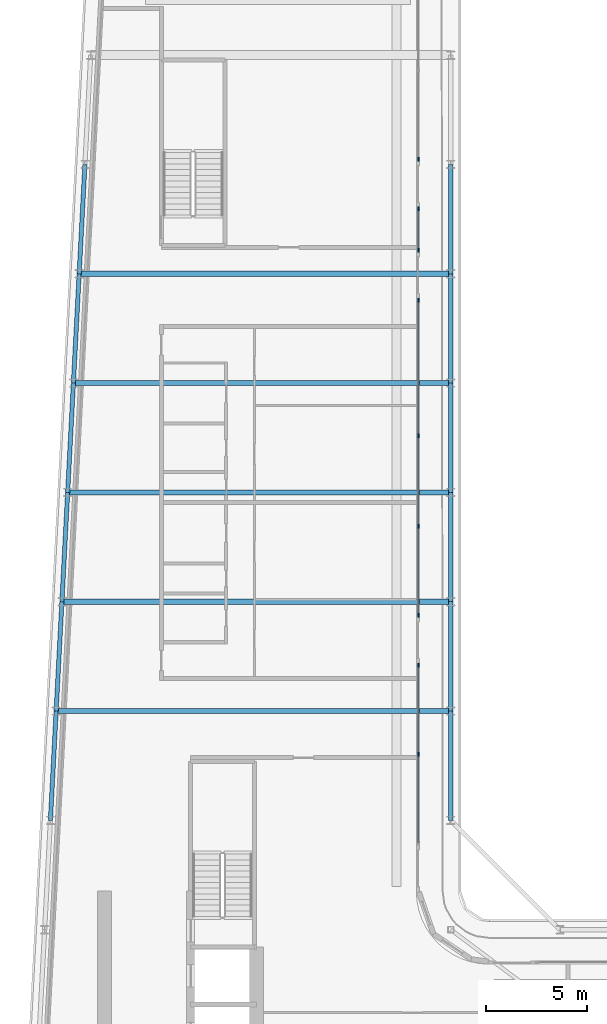
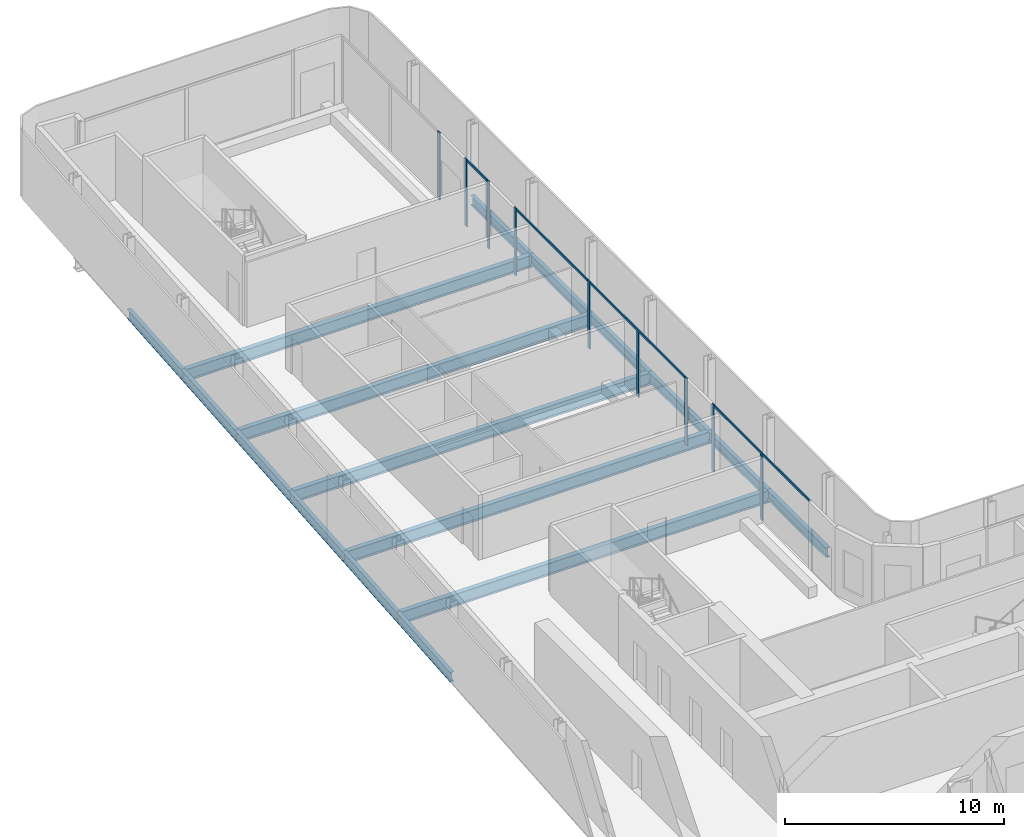
# One storey, part 6 of 21: 17 beams, 13 members, 5 elements without a shape of their own.
"""IFC4 building model written with IfcOpenShell, lengths in metres."""

from ifc_helpers import new_model, si_unit, direction, frame, origin, origin_2d, place, context, subcontext, project, spatial, rectangle, i_section, extrude, material, layer, layer_set, material_profile, profile_set, type_object, element, aggregate, save


model = new_model("IFC4")

# Units and contexts
model_context = context("Model", 3, precision=1e-05, world=origin(), true_north=direction((0.0, 1.0)))
body_context = subcontext(model_context, "Body", "Model", "MODEL_VIEW")
ifc_project = project(units=[si_unit("LENGTHUNIT", "METRE"), si_unit("AREAUNIT", "SQUARE_METRE"), si_unit("VOLUMEUNIT", "CUBIC_METRE"), si_unit("PLANEANGLEUNIT", "RADIAN"), si_unit("MASSUNIT", "GRAM", prefix="KILO")], contexts=[model_context])

# Site, building, storey
site_placement = place(None, origin())
site = spatial("IfcSite", under=ifc_project, at=site_placement, CompositionType="ELEMENT")
building_placement = place(site_placement, origin())
building = spatial("IfcBuilding", under=site, at=building_placement, Name="Kheshtan School and Residences Tower", CompositionType="ELEMENT")
storey_placement = place(building_placement, frame((0.0, 0.0, 235.699951171875)))
storey = spatial("IfcBuildingStorey", under=building, at=storey_placement, Name="L55", CompositionType="ELEMENT", Elevation=235.699951171875)

# Beams
ifc_material_1 = material(Name="Steel ASTM A992 Grade 50", Category="steel")
ifc_material_profile_1 = material_profile(ifc_material_1, i_section(OverallWidth=0.2529296875, OverallDepth=0.677978515625, WebThickness=0.01171875, FlangeThickness=0.016357421875, FilletRadius=0.0146484375, at=origin_2d()), Name="W690x125")
ifc_profile_set_1 = profile_set([ifc_material_profile_1], Name="Steel ASTM A992 Grade 50")
beam_type_1 = type_object("IfcBeamType", Name="Beam FB6 W690x125 ASTM A992 Grade 50", PredefinedType="BEAM", material=ifc_profile_set_1)
beam_1_placement = place(storey_placement, frame((47.60009765625, 78.0, -0.489013671875), z_axis=(-1.0, 0.0, 0.0), x_axis=(0.0, -1.0, 0.0)))
element("IfcBeam", 1, at=beam_1_placement, inside=storey, type_object=beam_type_1, Name="Floor beam C089", PredefinedType="BEAM", context=body_context, shape_type="SweptSolid", body=[
    extrude(i_section(OverallWidth=0.2529296875, OverallDepth=0.677978515625, WebThickness=0.01171875, FlangeThickness=0.016357421875, FilletRadius=0.0146484375, at=origin_2d()), origin(), (0.0, 0.0, 1.0), 18.357177734375),
])
beam_2_placement = place(storey_placement, frame((47.60009765625, 67.199951171875, -0.489013671875), z_axis=(-1.0, 0.0, 0.0), x_axis=(0.0, -1.0, 0.0)))
element("IfcBeam", 2, at=beam_2_placement, inside=storey, type_object=beam_type_1, Name="Floor beam C085", PredefinedType="BEAM", context=body_context, shape_type="SweptSolid", body=[
    extrude(i_section(OverallWidth=0.2529296875, OverallDepth=0.677978515625, WebThickness=0.01171875, FlangeThickness=0.016357421875, FilletRadius=0.0146484375, at=origin_2d()), origin(), (0.0, 0.0, 1.0), 18.926025390625),
])
beam_3_placement = place(storey_placement, frame((47.60009765625, 56.39990234375, -0.489013671875), z_axis=(-1.0, 0.0, 0.0), x_axis=(0.0, -1.0, 0.0)))
element("IfcBeam", 3, at=beam_3_placement, inside=storey, type_object=beam_type_1, Name="Floor beam C081", PredefinedType="BEAM", context=body_context, shape_type="SweptSolid", body=[
    extrude(i_section(OverallWidth=0.2529296875, OverallDepth=0.677978515625, WebThickness=0.01171875, FlangeThickness=0.016357421875, FilletRadius=0.0146484375, at=origin_2d()), origin(), (0.0, 0.0, 1.0), 19.494140625),
])
beam_4_placement = place(storey_placement, frame((28.389892578125, 61.800048828125, -0.489013671875), z_axis=(1.0, 0.0, 0.0), x_axis=(0.0, 1.0, 0.0)))
element("IfcBeam", 4, at=beam_4_placement, inside=storey, type_object=beam_type_1, Name="Floor beam C082", PredefinedType="BEAM", context=body_context, shape_type="SweptSolid", body=[
    extrude(i_section(OverallWidth=0.2529296875, OverallDepth=0.677978515625, WebThickness=0.01171875, FlangeThickness=0.016357421875, FilletRadius=0.0146484375, at=origin_2d()), origin(), (0.0, 0.0, 1.0), 19.210205078125),
])
beam_5_placement = place(storey_placement, frame((28.9580078125, 72.60009765625, -0.489013671875), z_axis=(1.0, 0.0, 0.0), x_axis=(0.0, 1.0, 0.0)))
element("IfcBeam", 5, at=beam_5_placement, inside=storey, type_object=beam_type_1, Name="Floor beam C086", PredefinedType="BEAM", context=body_context, shape_type="SweptSolid", body=[
    extrude(i_section(OverallWidth=0.2529296875, OverallDepth=0.677978515625, WebThickness=0.01171875, FlangeThickness=0.016357421875, FilletRadius=0.0146484375, at=origin_2d()), origin(), (0.0, 0.0, 1.0), 18.64208984375),
])
ifc_material_profile_2 = material_profile(ifc_material_1, i_section(OverallWidth=0.208984375, OverallDepth=0.532958984375, WebThickness=0.01025390625, FlangeThickness=0.015625, FilletRadius=0.013916015625, at=origin_2d()), Name="W530x92")
ifc_profile_set_2 = profile_set([ifc_material_profile_2], Name="Steel ASTM A992 Grade 50")
beam_type_2 = type_object("IfcBeamType", Name="Beam SP3 W530x92 ASTM A992 Grade 50", PredefinedType="BEAM", material=ifc_profile_set_2)
for number, where, z_axis, x_axis, name in (
    (6, (47.60009765625, 83.39990234375, -0.41650390625), (0.0, -1.0, 0.0), (1.0, 0.0, 0.0), "Spandrel beam C091-C089"),
    (7, (47.60009765625, 78.0, -0.41650390625), (0.0, -1.0, 0.0), (1.0, 0.0, 0.0), "Spandrel beam C089-C087"),
):
    element("IfcBeam", number, at=place(storey_placement, frame(where, z_axis=z_axis, x_axis=x_axis)), inside=storey, type_object=beam_type_2, Name=name, PredefinedType="BEAM", context=body_context, shape_type="SweptSolid", body=[
        extrude(i_section(OverallWidth=0.208984375, OverallDepth=0.532958984375, WebThickness=0.01025390625, FlangeThickness=0.015625, FilletRadius=0.013916015625, at=origin_2d()), origin(), (0.0, 0.0, 1.0), 5.39990234375),
    ])
beam_6_placement = place(storey_placement, frame((47.60009765625, 72.60009765625, -0.41650390625), z_axis=(0.0, -1.0, 0.0), x_axis=(1.0, 0.0, 0.0)))
element("IfcBeam", 8, at=beam_6_placement, inside=storey, type_object=beam_type_2, Name="Spandrel beam C087-C085", PredefinedType="BEAM", context=body_context, shape_type="SweptSolid", body=[
    extrude(i_section(OverallWidth=0.208984375, OverallDepth=0.532958984375, WebThickness=0.01025390625, FlangeThickness=0.015625, FilletRadius=0.013916015625, at=origin_2d()), origin(), (0.0, 0.0, 1.0), 5.400146484375),
])
beam_7_placement = place(storey_placement, frame((47.60009765625, 67.199951171875, -0.41650390625), z_axis=(0.0, -1.0, 0.0), x_axis=(1.0, 0.0, 0.0)))
element("IfcBeam", 9, at=beam_7_placement, inside=storey, type_object=beam_type_2, Name="Spandrel beam C085-C083", PredefinedType="BEAM", context=body_context, shape_type="SweptSolid", body=[
    extrude(i_section(OverallWidth=0.208984375, OverallDepth=0.532958984375, WebThickness=0.01025390625, FlangeThickness=0.015625, FilletRadius=0.013916015625, at=origin_2d()), origin(), (0.0, 0.0, 1.0), 5.39990234375),
])
beam_8_placement = place(storey_placement, frame((47.60009765625, 61.800048828125, -0.41650390625), z_axis=(0.0, -1.0, 0.0), x_axis=(1.0, 0.0, 0.0)))
element("IfcBeam", 10, at=beam_8_placement, inside=storey, type_object=beam_type_2, Name="Spandrel beam C083-C081", PredefinedType="BEAM", context=body_context, shape_type="SweptSolid", body=[
    extrude(i_section(OverallWidth=0.208984375, OverallDepth=0.532958984375, WebThickness=0.01025390625, FlangeThickness=0.015625, FilletRadius=0.013916015625, at=origin_2d()), origin(), (0.0, 0.0, 1.0), 5.400146484375),
])
beam_9_placement = place(storey_placement, frame((47.60009765625, 56.39990234375, -0.41650390625), z_axis=(0.0, -1.0, 0.0), x_axis=(1.0, 0.0, 0.0)))
element("IfcBeam", 11, at=beam_9_placement, inside=storey, type_object=beam_type_2, Name="Spandrel beam C081-C079", PredefinedType="BEAM", context=body_context, shape_type="SweptSolid", body=[
    extrude(i_section(OverallWidth=0.208984375, OverallDepth=0.532958984375, WebThickness=0.01025390625, FlangeThickness=0.015625, FilletRadius=0.013916015625, at=origin_2d()), origin(), (0.0, 0.0, 1.0), 5.39990234375),
])
beam_10_placement = place(storey_placement, frame((27.822021484375, 51.0, -0.41650390625), z_axis=(0.05250906864, 0.998620447272, 0.0), x_axis=(-0.998620447272, 0.05250906864, 0.0)))
element("IfcBeam", 12, at=beam_10_placement, inside=storey, type_object=beam_type_2, Name="Spandrel beam C078-C080", PredefinedType="BEAM", context=body_context, shape_type="SweptSolid", body=[
    extrude(i_section(OverallWidth=0.208984375, OverallDepth=0.532958984375, WebThickness=0.01025390625, FlangeThickness=0.015625, FilletRadius=0.013916015625, at=origin_2d()), origin(), (0.0, 0.0, 1.0), 5.407470703125),
])
beam_11_placement = place(storey_placement, frame((28.10595703125, 56.39990234375, -0.41650390625), z_axis=(0.05250670125, 0.998620571751, 0.0), x_axis=(-0.998620571751, 0.05250670125, 0.0)))
element("IfcBeam", 13, at=beam_11_placement, inside=storey, type_object=beam_type_2, Name="Spandrel beam C080-C082", PredefinedType="BEAM", context=body_context, shape_type="SweptSolid", body=[
    extrude(i_section(OverallWidth=0.208984375, OverallDepth=0.532958984375, WebThickness=0.01025390625, FlangeThickness=0.015625, FilletRadius=0.013916015625, at=origin_2d()), origin(), (0.0, 0.0, 1.0), 5.40771484375),
])
beam_12_placement = place(storey_placement, frame((28.389892578125, 61.800048828125, -0.41650390625), z_axis=(0.052554093665, 0.998618078766, 0.0), x_axis=(-0.998618078766, 0.052554093665, 0.0)))
element("IfcBeam", 14, at=beam_12_placement, inside=storey, type_object=beam_type_2, Name="Spandrel beam C082-C084", PredefinedType="BEAM", context=body_context, shape_type="SweptSolid", body=[
    extrude(i_section(OverallWidth=0.208984375, OverallDepth=0.532958984375, WebThickness=0.01025390625, FlangeThickness=0.015625, FilletRadius=0.013916015625, at=origin_2d()), origin(), (0.0, 0.0, 1.0), 5.407470703125),
])
beam_13_placement = place(storey_placement, frame((28.674072265625, 67.199951171875, -0.41650390625), z_axis=(0.05250670125, 0.998620571751, 0.0), x_axis=(-0.998620571751, 0.05250670125, 0.0)))
element("IfcBeam", 15, at=beam_13_placement, inside=storey, type_object=beam_type_2, Name="Spandrel beam C084-C086", PredefinedType="BEAM", context=body_context, shape_type="SweptSolid", body=[
    extrude(i_section(OverallWidth=0.208984375, OverallDepth=0.532958984375, WebThickness=0.01025390625, FlangeThickness=0.015625, FilletRadius=0.013916015625, at=origin_2d()), origin(), (0.0, 0.0, 1.0), 5.40771484375),
])
for number, where, z_axis, x_axis, name in (
    (16, (28.9580078125, 72.60009765625, -0.41650390625), (0.052689166816, 0.998610961136, 0.0), (-0.998610961136, 0.052689166816, 0.0), "Spandrel beam C086-C088"),
    (17, (29.242919921875, 78.0, -0.41650390625), (0.052554093665, 0.998618078766, 0.0), (-0.998618078766, 0.052554093665, 0.0), "Spandrel beam C088-C090"),
):
    element("IfcBeam", number, at=place(storey_placement, frame(where, z_axis=z_axis, x_axis=x_axis)), inside=storey, type_object=beam_type_2, Name=name, PredefinedType="BEAM", context=body_context, shape_type="SweptSolid", body=[
        extrude(i_section(OverallWidth=0.208984375, OverallDepth=0.532958984375, WebThickness=0.01025390625, FlangeThickness=0.015625, FilletRadius=0.013916015625, at=origin_2d()), origin(), (0.0, 0.0, 1.0), 5.407470703125),
    ])

# Curtain wall, member
ifc_material_2 = material(Name="Clear low-e glass in thermally broken aluminium frame", Category="aluminium")
ifc_layer = layer(ifc_material_2, 0.199951171875)
ifc_layer_set = layer_set([ifc_layer], Name="Curtain wall CW-L")
curtain_wall_type = type_object("IfcCurtainWallType", Name="Curtain wall CW-L", PredefinedType="NOTDEFINED", material=ifc_layer_set)
curtain_wall_1_placement = place(storey_placement, origin())
curtain_wall_1 = element("IfcCurtainWall", 18, at=curtain_wall_1_placement, inside=storey, type_object=curtain_wall_type, Name="Curtain wall CWL4b", PredefinedType="NOTDEFINED")
ifc_material_3 = material(Name="Thermally broken aluminium, dark bronze anodised", Category="aluminium")
ifc_material_profile_3 = material_profile(ifc_material_3, rectangle(XDim=0.06005859375, YDim=0.199951171875, at=origin_2d()), Name="CW-L mullion 60x200")
ifc_profile_set_3 = profile_set([ifc_material_profile_3], Name="Thermally broken aluminium, dark bronze anodised")
member_type_1 = type_object("IfcMemberType", Name="CW-L mullion 60x200", PredefinedType="MULLION", material=ifc_profile_set_3)
member_1_placement = place(storey_placement, frame((46.0, 83.66259765625, 0.0), z_axis=(0.0, 0.0, 1.0), x_axis=(1.0, 0.0, 0.0)))
member_1 = element("IfcMember", 19, at=member_1_placement, type_object=member_type_1, Name="CWL4b mullion 3", PredefinedType="MULLION", context=body_context, shape_type="SweptSolid", body=[
    extrude(rectangle(XDim=0.06005859375, YDim=0.199951171875, at=origin_2d()), origin(), (0.0, 0.0, 1.0), 3.75),
])
aggregate(curtain_wall_1, [member_1])

# Curtain wall, members
curtain_wall_2_placement = place(storey_placement, origin())
curtain_wall_2 = element("IfcCurtainWall", 20, at=curtain_wall_2_placement, inside=storey, type_object=curtain_wall_type, Name="Curtain wall CWL4c", PredefinedType="NOTDEFINED")
member_2_placement = place(storey_placement, frame((46.0, 81.202392578125, 0.0), z_axis=(0.0, 0.0, 1.0), x_axis=(1.0, 0.0, 0.0)))
member_2 = element("IfcMember", 21, at=member_2_placement, type_object=member_type_1, Name="CWL4c mullion 1", PredefinedType="MULLION", context=body_context, shape_type="SweptSolid", body=[
    extrude(rectangle(XDim=0.06005859375, YDim=0.199951171875, at=origin_2d()), origin(), (0.0, 0.0, 1.0), 3.75),
])
member_3_placement = place(storey_placement, frame((46.0, 79.16259765625, 0.0), z_axis=(0.0, 0.0, 1.0), x_axis=(1.0, 0.0, 0.0)))
member_3 = element("IfcMember", 22, at=member_3_placement, type_object=member_type_1, Name="CWL4c mullion 2", PredefinedType="MULLION", context=body_context, shape_type="SweptSolid", body=[
    extrude(rectangle(XDim=0.06005859375, YDim=0.199951171875, at=origin_2d()), origin(), (0.0, 0.0, 1.0), 3.75),
])

curtain_wall_3_placement = place(storey_placement, origin())
curtain_wall_3 = element("IfcCurtainWall", 23, at=curtain_wall_3_placement, inside=storey, type_object=curtain_wall_type, Name="Curtain wall CWL4d", PredefinedType="NOTDEFINED")
member_4_placement = place(storey_placement, frame((46.0, 76.702392578125, 0.0), z_axis=(0.0, 0.0, 1.0), x_axis=(1.0, 0.0, 0.0)))
member_4 = element("IfcMember", 24, at=member_4_placement, type_object=member_type_1, Name="CWL4d mullion 1", PredefinedType="MULLION", context=body_context, shape_type="SweptSolid", body=[
    extrude(rectangle(XDim=0.06005859375, YDim=0.199951171875, at=origin_2d()), origin(), (0.0, 0.0, 1.0), 3.75),
])
member_5_placement = place(storey_placement, frame((46.0, 69.9951171875, 0.0), z_axis=(0.0, 0.0, 1.0), x_axis=(1.0, 0.0, 0.0)))
member_5 = element("IfcMember", 25, at=member_5_placement, type_object=member_type_1, Name="CWL4d mullion 2", PredefinedType="MULLION", context=body_context, shape_type="SweptSolid", body=[
    extrude(rectangle(XDim=0.06005859375, YDim=0.199951171875, at=origin_2d()), origin(), (0.0, 0.0, 1.0), 3.75),
])

curtain_wall_4_placement = place(storey_placement, origin())
curtain_wall_4 = element("IfcCurtainWall", 26, at=curtain_wall_4_placement, inside=storey, type_object=curtain_wall_type, Name="Curtain wall CWL4b", PredefinedType="NOTDEFINED")
member_6_placement = place(storey_placement, frame((46.0, 65.53125, 0.0), z_axis=(0.0, 0.0, 1.0), x_axis=(1.0, 0.0, 0.0)))
member_6 = element("IfcMember", 27, at=member_6_placement, type_object=member_type_1, Name="CWL4b mullion 2", PredefinedType="MULLION", context=body_context, shape_type="SweptSolid", body=[
    extrude(rectangle(XDim=0.06005859375, YDim=0.199951171875, at=origin_2d()), origin(), (0.0, 0.0, 1.0), 3.630126953125),
])
member_7_placement = place(storey_placement, frame((46.0, 61.12744140625, 0.0), z_axis=(0.0, 0.0, 1.0), x_axis=(1.0, 0.0, 0.0)))
member_7 = element("IfcMember", 28, at=member_7_placement, type_object=member_type_1, Name="CWL4b mullion 3", PredefinedType="MULLION", context=body_context, shape_type="SweptSolid", body=[
    extrude(rectangle(XDim=0.06005859375, YDim=0.199951171875, at=origin_2d()), origin(), (0.0, 0.0, 1.0), 3.75),
])

curtain_wall_5_placement = place(storey_placement, origin())
curtain_wall_5 = element("IfcCurtainWall", 29, at=curtain_wall_5_placement, inside=storey, type_object=curtain_wall_type, Name="Curtain wall CWL4b", PredefinedType="NOTDEFINED")
member_8_placement = place(storey_placement, frame((46.0, 58.66748046875, 0.0), z_axis=(0.0, 0.0, 1.0), x_axis=(1.0, 0.0, 0.0)))
member_8 = element("IfcMember", 30, at=member_8_placement, type_object=member_type_1, Name="CWL4b mullion 1", PredefinedType="MULLION", context=body_context, shape_type="SweptSolid", body=[
    extrude(rectangle(XDim=0.06005859375, YDim=0.199951171875, at=origin_2d()), origin(), (0.0, 0.0, 1.0), 3.75),
])
member_9_placement = place(storey_placement, frame((46.0, 54.263671875, 0.0), z_axis=(0.0, 0.0, 1.0), x_axis=(1.0, 0.0, 0.0)))
member_9 = element("IfcMember", 31, at=member_9_placement, type_object=member_type_1, Name="CWL4b mullion 2", PredefinedType="MULLION", context=body_context, shape_type="SweptSolid", body=[
    extrude(rectangle(XDim=0.06005859375, YDim=0.199951171875, at=origin_2d()), origin(), (0.0, 0.0, 1.0), 3.630126953125),
])

# Member
ifc_material_profile_4 = material_profile(ifc_material_3, rectangle(XDim=0.06005859375, YDim=0.1201171875, at=origin_2d()), Name="CW-L transom 60x120")
ifc_profile_set_4 = profile_set([ifc_material_profile_4], Name="Thermally broken aluminium, dark bronze anodised")
member_type_2 = type_object("IfcMemberType", Name="CW-L transom 60x120", PredefinedType="USERDEFINED", material=ifc_profile_set_4)
member_10_placement = place(storey_placement, frame((46.0, 81.172607421875, 3.68994140625), z_axis=(0.0, -1.0, 0.0), x_axis=(1.0, 0.0, 0.0)))
member_10 = element("IfcMember", 32, at=member_10_placement, type_object=member_type_2, Name="CWL4c transom 1", ObjectType="TRANSOM", PredefinedType="USERDEFINED", context=body_context, shape_type="SweptSolid", body=[
    extrude(rectangle(XDim=0.06005859375, YDim=0.1201171875, at=origin_2d()), origin(), (0.0, 0.0, 1.0), 1.980224609375),
])

aggregate(curtain_wall_2, [member_2, member_3, member_10])

member_11_placement = place(storey_placement, frame((46.0, 76.672607421875, 3.68994140625), z_axis=(0.0, -1.0, 0.0), x_axis=(1.0, 0.0, 0.0)))
member_11 = element("IfcMember", 33, at=member_11_placement, type_object=member_type_2, Name="CWL4d transom 1", ObjectType="TRANSOM", PredefinedType="USERDEFINED", context=body_context, shape_type="SweptSolid", body=[
    extrude(rectangle(XDim=0.06005859375, YDim=0.1201171875, at=origin_2d()), origin(), (0.0, 0.0, 1.0), 6.647705078125),
])

aggregate(curtain_wall_3, [member_4, member_5, member_11])

member_12_placement = place(storey_placement, frame((46.0, 69.965087890625, 3.68994140625), z_axis=(0.0, -1.0, 0.0), x_axis=(1.0, 0.0, 0.0)))
member_12 = element("IfcMember", 34, at=member_12_placement, type_object=member_type_2, Name="CWL4b transom 1", ObjectType="TRANSOM", PredefinedType="USERDEFINED", context=body_context, shape_type="SweptSolid", body=[
    extrude(rectangle(XDim=0.06005859375, YDim=0.1201171875, at=origin_2d()), origin(), (0.0, 0.0, 1.0), 8.8076171875),
])

aggregate(curtain_wall_4, [member_6, member_7, member_12])

member_13_placement = place(storey_placement, frame((46.0, 58.637451171875, 3.68994140625), z_axis=(0.0, -1.0, 0.0), x_axis=(1.0, 0.0, 0.0)))
member_13 = element("IfcMember", 35, at=member_13_placement, type_object=member_type_2, Name="CWL4b transom 1", ObjectType="TRANSOM", PredefinedType="USERDEFINED", context=body_context, shape_type="SweptSolid", body=[
    extrude(rectangle(XDim=0.06005859375, YDim=0.1201171875, at=origin_2d()), origin(), (0.0, 0.0, 1.0), 8.74755859375),
])

aggregate(curtain_wall_5, [member_8, member_9, member_13])

save(model, "model.ifc")
